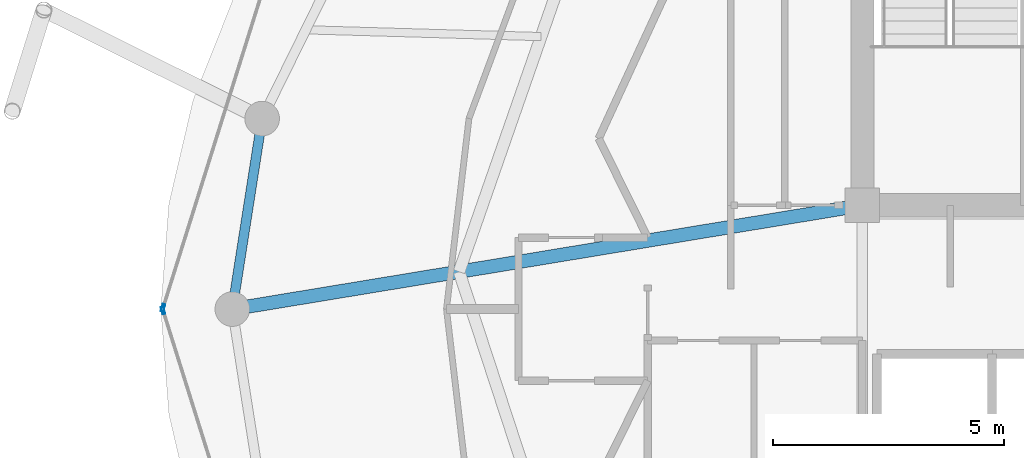
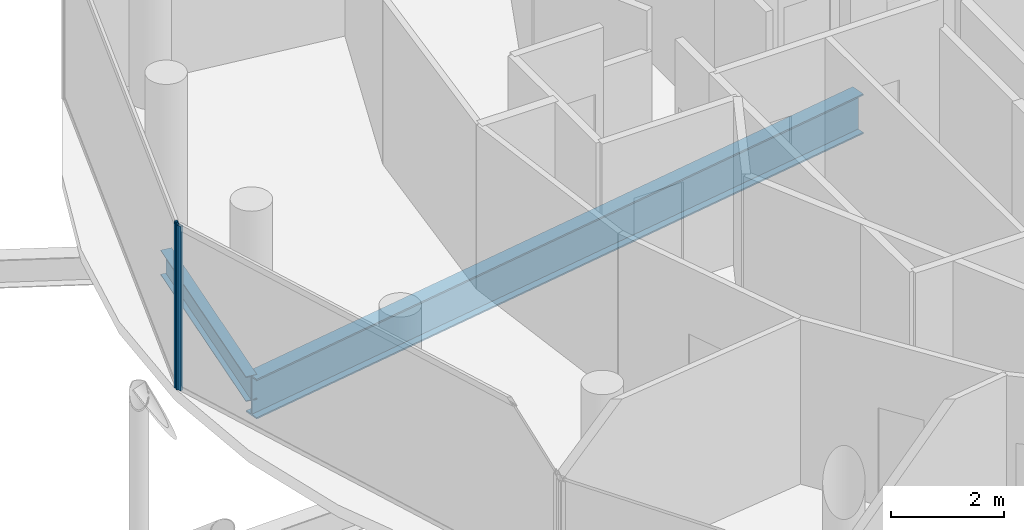
# One storey, part 6 of 24: 2 beams, 2 members, 2 elements without a shape of their own.
"""IFC4 building model written with IfcOpenShell, lengths in metres."""

from ifc_helpers import new_model, si_unit, direction, frame, origin, origin_2d, place, context, subcontext, project, spatial, hollow_rectangle, i_section, extrude, material, layer, layer_set, material_profile, profile_set, type_object, element, aggregate, save


model = new_model("IFC4")

# Units and contexts
model_context = context("Model", 3, precision=1e-05, world=origin(), true_north=direction((0.0, 1.0)))
body_context = subcontext(model_context, "Body", "Model", "MODEL_VIEW")
ifc_project = project(units=[si_unit("LENGTHUNIT", "METRE"), si_unit("AREAUNIT", "SQUARE_METRE"), si_unit("VOLUMEUNIT", "CUBIC_METRE"), si_unit("PLANEANGLEUNIT", "RADIAN"), si_unit("MASSUNIT", "GRAM", prefix="KILO")], contexts=[model_context])

# Site, building, storey
site_placement = place(None, origin())
site = spatial("IfcSite", under=ifc_project, at=site_placement, CompositionType="ELEMENT")
building_placement = place(site_placement, origin())
building = spatial("IfcBuilding", under=site, at=building_placement, Name="Nuhasar Tower", CompositionType="ELEMENT")
storey_placement = place(building_placement, frame((0.0, 0.0, 274.60009765625)))
storey = spatial("IfcBuildingStorey", under=building, at=storey_placement, Name="L68", CompositionType="ELEMENT", Elevation=274.60009765625)

# Beams
ifc_material_1 = material(Name="Steel S355", Category="steel")
ifc_material_profile_1 = material_profile(ifc_material_1, i_section(OverallWidth=0.2919921875, OverallDepth=0.85888671875, WebThickness=0.01708984375, FlangeThickness=0.031005859375, at=origin_2d()), Name="W33X169")
ifc_profile_set_1 = profile_set([ifc_material_profile_1], Name="Steel S355")
beam_type_1 = type_object("IfcBeamType", Name="BM-POD-W33X169", PredefinedType="BEAM", material=ifc_profile_set_1)
beam_1_placement = place(storey_placement, frame((33.699951171875, 29.050048828125, -0.690185546875), z_axis=(-0.986685215874, -0.162641583786, 0.0), x_axis=(0.162641583786, -0.986685215874, 0.0)))
element("IfcBeam", 1, at=beam_1_placement, inside=storey, type_object=beam_type_1, Name="L68 Radial Floor Girder 08", PredefinedType="BEAM", context=body_context, shape_type="SweptSolid", body=[
    extrude(i_section(OverallWidth=0.2919921875, OverallDepth=0.85888671875, WebThickness=0.01708984375, FlangeThickness=0.031005859375, at=origin_2d()), origin(), (0.0, 0.0, 1.0), 13.833984375),
])
ifc_material_profile_2 = material_profile(ifc_material_1, i_section(OverallWidth=0.2099609375, OverallDepth=0.537109375, WebThickness=0.010986328125, FlangeThickness=0.017333984375, at=origin_2d()), Name="W21X68")
ifc_profile_set_2 = profile_set([ifc_material_profile_2], Name="Steel S355")
beam_type_2 = type_object("IfcBeamType", Name="BM-RING-W21X68", PredefinedType="SPANDREL", material=ifc_profile_set_2)
beam_2_placement = place(storey_placement, frame((20.696044921875, 30.927978515625, -0.529052734375), z_axis=(-0.154612165232, -0.987975241776, 0.0), x_axis=(0.987975241776, -0.154612165232, 0.0)))
element("IfcBeam", 2, at=beam_2_placement, inside=storey, type_object=beam_type_2, Name="L68 Perimeter Ring Spandrel 12", PredefinedType="SPANDREL", context=body_context, shape_type="SweptSolid", body=[
    extrude(i_section(OverallWidth=0.2099609375, OverallDepth=0.537109375, WebThickness=0.010986328125, FlangeThickness=0.017333984375, at=origin_2d()), origin(), (0.0, 0.0, 1.0), 4.17822265625),
])

# Curtain wall, member
ifc_material_2 = material(Name="Aluminium 6063-T6", Category="aluminium")
ifc_layer = layer(ifc_material_2, 0.18994140625)
ifc_layer_set = layer_set([ifc_layer], Name="Aluminium 6063-T6")
curtain_wall_type = type_object("IfcCurtainWallType", Name="CW-Z4-PEN", PredefinedType="NOTDEFINED", material=ifc_layer_set)
curtain_wall_1_placement = place(storey_placement, origin())
curtain_wall_1 = element("IfcCurtainWall", 3, at=curtain_wall_1_placement, inside=storey, type_object=curtain_wall_type, Name="L68 Unitised Curtain Wall 06", PredefinedType="NOTDEFINED")
ifc_material_profile_3 = material_profile(ifc_material_2, hollow_rectangle(XDim=0.06005859375, YDim=0.1650390625, WallThickness=0.0048828125, at=origin_2d()), Name="CWM-5")
ifc_profile_set_3 = profile_set([ifc_material_profile_3], Name="Aluminium 6063-T6")
member_type = type_object("IfcMemberType", Name="CW-MUL-S5", PredefinedType="MULLION", material=ifc_profile_set_3)
member_1_placement = place(storey_placement, frame((18.549072265625, 26.82861328125, 0.0), z_axis=(0.0, 0.0, 1.0), x_axis=(0.954078526601, -0.299556614146, 0.0)))
member_1 = element("IfcMember", 4, at=member_1_placement, type_object=member_type, Name="CW-Z4 mullion 2", PredefinedType="MULLION", context=body_context, shape_type="SweptSolid", body=[
    extrude(hollow_rectangle(XDim=0.06005859375, YDim=0.1650390625, WallThickness=0.0048828125, at=origin_2d()), origin(), (0.0, 0.0, 1.0), 3.539794921875),
])
aggregate(curtain_wall_1, [member_1])

curtain_wall_2_placement = place(storey_placement, origin())
curtain_wall_2 = element("IfcCurtainWall", 5, at=curtain_wall_2_placement, inside=storey, type_object=curtain_wall_type, Name="L68 Unitised Curtain Wall 07", PredefinedType="NOTDEFINED")
member_2_placement = place(storey_placement, frame((18.549072265625, 26.771484375, 0.0), z_axis=(0.0, 0.0, 1.0), x_axis=(0.954078526601, 0.299556614146, 0.0)))
member_2 = element("IfcMember", 6, at=member_2_placement, type_object=member_type, Name="CW-Z4 mullion 1", PredefinedType="MULLION", context=body_context, shape_type="SweptSolid", body=[
    extrude(hollow_rectangle(XDim=0.06005859375, YDim=0.1650390625, WallThickness=0.0048828125, at=origin_2d()), origin(), (0.0, 0.0, 1.0), 3.539794921875),
])
aggregate(curtain_wall_2, [member_2])

save(model, "model.ifc")
